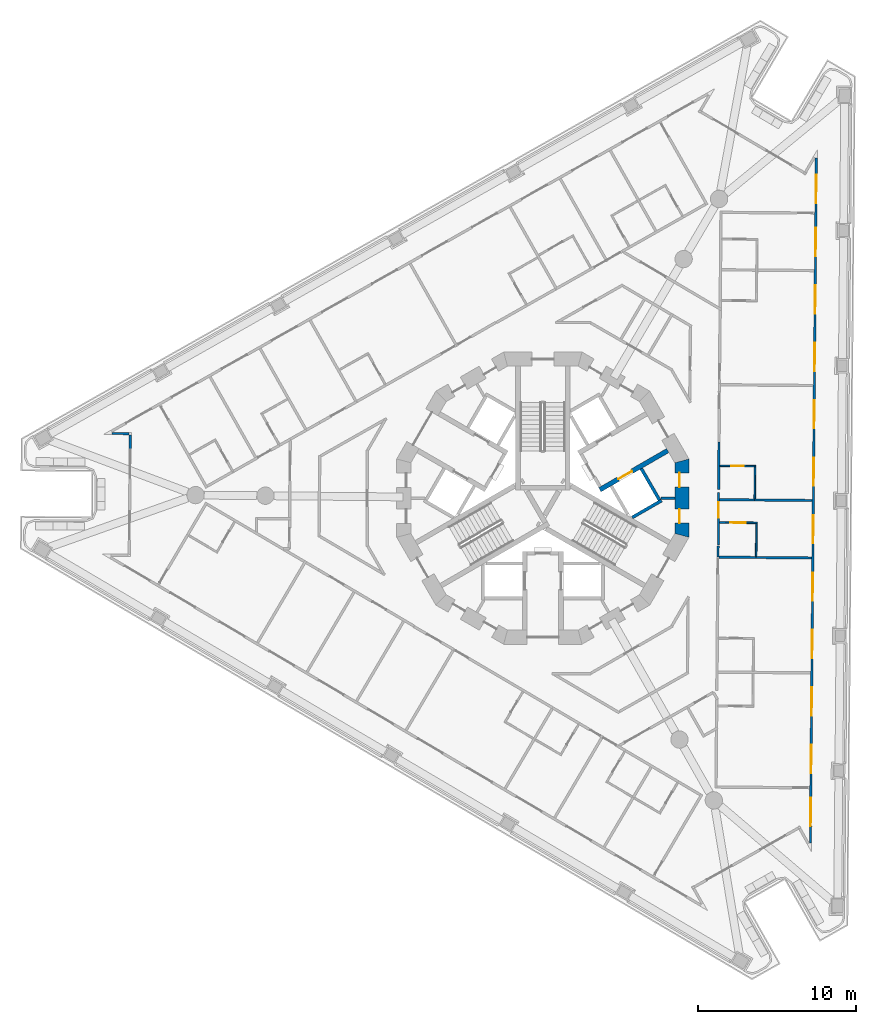
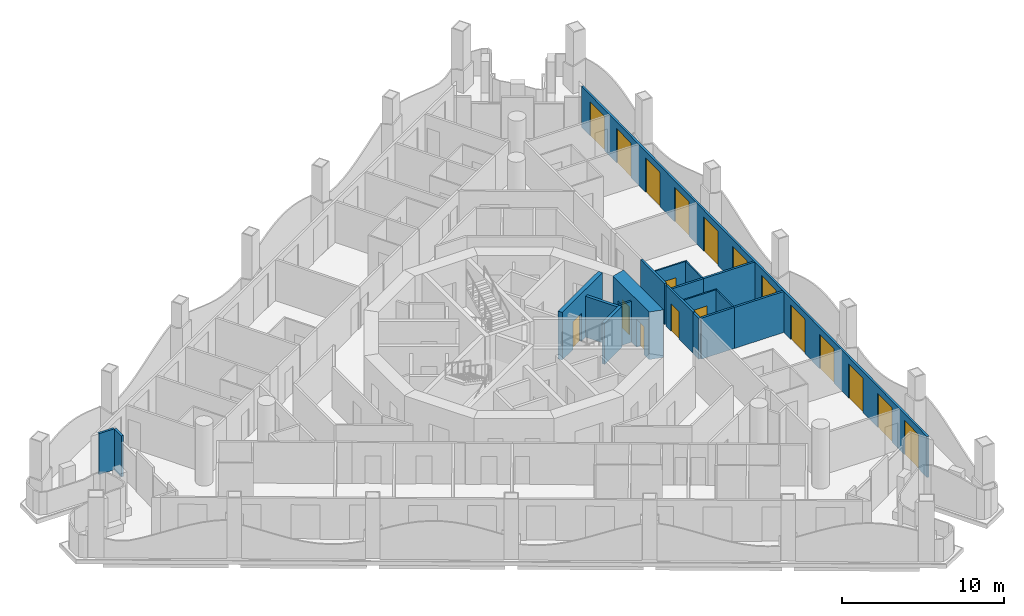
# One storey, part 6 of 17: 19 walls, 18 doors, 18 openings.
"""IFC4 building model written with IfcOpenShell, lengths in metres."""

from ifc_helpers import new_model, si_unit, direction, frame, frame_2d, origin, place, context, subcontext, project, spatial, polyline, rectangle, outline, extrude, material, layer, layer_set, type_object, element, fill, save


model = new_model("IFC4")

# Units and contexts
model_context = context("Model", 3, precision=1e-05, world=origin(), true_north=direction((0.0, 1.0)))
body_context = subcontext(model_context, "Body", "Model", "MODEL_VIEW")
ifc_project = project(units=[si_unit("LENGTHUNIT", "METRE"), si_unit("AREAUNIT", "SQUARE_METRE"), si_unit("VOLUMEUNIT", "CUBIC_METRE"), si_unit("PLANEANGLEUNIT", "RADIAN"), si_unit("MASSUNIT", "GRAM", prefix="KILO")], contexts=[model_context])

# Site, building, storey
site_placement = place(None, origin())
site = spatial("IfcSite", under=ifc_project, at=site_placement, CompositionType="ELEMENT")
building_placement = place(site_placement, origin())
building = spatial("IfcBuilding", under=site, at=building_placement, Name="Trine Commons Tower", CompositionType="ELEMENT")
storey_placement = place(building_placement, frame((0.0, 0.0, 189.89990234375)))
storey = spatial("IfcBuildingStorey", under=building, at=storey_placement, Name="L49", CompositionType="ELEMENT", Elevation=189.89990234375)

# Walls
ifc_material_1 = material(Name="Plasterboard partition on steel studs", Category="steel")
ifc_layer_1 = layer(ifc_material_1, 0.14990234375)
ifc_layer_set_1 = layer_set([ifc_layer_1], Name="Plasterboard partition on steel studs")
wall_type_1 = type_object("IfcWallType", Name="Core room partition 150 mm, EI 60", PredefinedType="PARTITIONING", material=ifc_layer_set_1)
wall_1_placement = place(storey_placement, frame((88.373046875, 62.5, 0.0), z_axis=(0.0, 0.0, 1.0), x_axis=(-1.0, 0.0, 0.0)))
element("IfcWall", 1, at=wall_1_placement, inside=storey, type_object=wall_type_1, Name="Core room partition L49", PredefinedType="PARTITIONING", context=body_context, shape_type="SweptSolid", body=[
    extrude(rectangle(XDim=0.882080078125, YDim=0.14990234375, at=frame_2d((0.44091796875, 0.0))), origin(), (0.0, 0.0, 1.0), 3.10009765625),
])
ifc_material_2 = material(Name="Aluminium-framed insulated wall panel", Category="aluminium")
ifc_layer_2 = layer(ifc_material_2, 0.14990234375)
ifc_layer_set_2 = layer_set([ifc_layer_2], Name="Aluminium-framed insulated wall panel")
wall_type_2 = type_object("IfcWallType", Name="Glazed frame wall 150, EI 60", PredefinedType="SOLIDWALL", material=ifc_layer_set_2)
wall_2_placement = place(storey_placement, frame((53.816162109375, 65.628662109375, 0.0), z_axis=(0.0, 0.0, 1.0), x_axis=(0.008788723053, 0.999961378428, 0.0)))
element("IfcWall", 2, at=wall_2_placement, inside=storey, type_object=wall_type_2, Name="Glazed frame wall P1.5", PredefinedType="SOLIDWALL", context=body_context, shape_type="SweptSolid", body=[
    extrude(outline(polyline([(0.889892578125, 0.074951171875), (0.0, 0.074951171875), (0.0, -0.074951171875), (0.889892578125, -0.074951171875), (0.889892578125, 0.074951171875)])), origin(), (0.0, 0.0, 1.0), 3.10009765625),
])
wall_3_placement = place(storey_placement, frame((53.859619140625, 66.59326171875, 0.0), z_axis=(0.0, 0.0, 1.0), x_axis=(-0.999962043845, 0.008712684354, 0.0)))
element("IfcWall", 3, at=wall_3_placement, inside=storey, type_object=wall_type_2, Name="Glazed frame wall R3", PredefinedType="SOLIDWALL", context=body_context, shape_type="SweptSolid", body=[
    extrude(outline(polyline([(0.110107421875, 0.074951171875), (0.110107421875, -0.074951171875), (1.19580078125, -0.074951171875), (1.19580078125, 0.074951171875), (0.110107421875, 0.074951171875)])), origin(), (0.0, 0.0, 1.0), 3.10009765625),
])

# Wall, openings, doors
wall_4_placement = place(storey_placement, frame((97.36279296875, 84.232421875, 0.0), z_axis=(0.0, 0.0, 1.0), x_axis=(-0.00872447395, -0.999961941053, 0.0)))
wall_4 = element("IfcWall", 4, at=wall_4_placement, inside=storey, type_object=wall_type_2, Name="Glazed frame wall F2", PredefinedType="SOLIDWALL", context=body_context, shape_type="SweptSolid", body=[
    extrude(outline(polyline([(0.1494140625, 0.074951171875), (0.1494140625, -0.074951171875), (43.616943359375, -0.074951171875), (43.616943359375, 0.074951171875), (0.1494140625, 0.074951171875)])), origin(), (0.0, 0.0, 1.0), 3.10009765625),
])
opening_1_placement = place(wall_4_placement, frame((1.2236328125, 0.0, 0.0)))
opening_1 = element("IfcOpeningElement", 5, at=opening_1_placement, cuts=wall_4, Name="Opening BD-5F2-01", PredefinedType="OPENING", context=body_context, shape_type="SweptSolid", body=[
    extrude(rectangle(XDim=1.800048828125, YDim=2.60009765625, at=frame_2d((0.89990234375, 1.300048828125))), frame((0.0, 0.0849609375, 0.0), z_axis=(0.0, -1.0, 0.0), x_axis=(1.0, 0.0, 0.0)), (0.0, 0.0, 1.0), 0.169921875),
])
opening_2_placement = place(wall_4_placement, frame((4.57080078125, 0.0, 0.0)))
opening_2 = element("IfcOpeningElement", 6, at=opening_2_placement, cuts=wall_4, Name="Opening BD-5F2-02", PredefinedType="OPENING", context=body_context, shape_type="SweptSolid", body=[
    extrude(rectangle(XDim=1.800048828125, YDim=2.60009765625, at=frame_2d((0.89990234375, 1.300048828125))), frame((0.0, 0.0849609375, 0.0), z_axis=(0.0, -1.0, 0.0), x_axis=(1.0, 0.0, 0.0)), (0.0, 0.0, 1.0), 0.169921875),
])
opening_3_placement = place(wall_4_placement, frame((8.218017578125, 0.0, 0.0)))
opening_3 = element("IfcOpeningElement", 7, at=opening_3_placement, cuts=wall_4, Name="Opening BD-5F2-03", PredefinedType="OPENING", context=body_context, shape_type="SweptSolid", body=[
    extrude(rectangle(XDim=1.800048828125, YDim=2.60009765625, at=frame_2d((0.89990234375, 1.300048828125))), frame((0.0, 0.0849609375, 0.0), z_axis=(0.0, -1.0, 0.0), x_axis=(1.0, 0.0, 0.0)), (0.0, 0.0, 1.0), 0.169921875),
])
opening_4_placement = place(wall_4_placement, frame((11.865234375, 0.0, 0.0)))
opening_4 = element("IfcOpeningElement", 8, at=opening_4_placement, cuts=wall_4, Name="Opening BD-5F2-04", PredefinedType="OPENING", context=body_context, shape_type="SweptSolid", body=[
    extrude(rectangle(XDim=1.800048828125, YDim=2.60009765625, at=frame_2d((0.89990234375, 1.300048828125))), frame((0.0, 0.0849609375, 0.0), z_axis=(0.0, -1.0, 0.0), x_axis=(1.0, 0.0, 0.0)), (0.0, 0.0, 1.0), 0.169921875),
])
opening_5_placement = place(wall_4_placement, frame((15.512451171875, 0.0, 0.0)))
opening_5 = element("IfcOpeningElement", 9, at=opening_5_placement, cuts=wall_4, Name="Opening BD-5F2-05", PredefinedType="OPENING", context=body_context, shape_type="SweptSolid", body=[
    extrude(rectangle(XDim=1.800048828125, YDim=2.60009765625, at=frame_2d((0.89990234375, 1.300048828125))), frame((0.0, 0.0849609375, 0.0), z_axis=(0.0, -1.0, 0.0), x_axis=(1.0, 0.0, 0.0)), (0.0, 0.0, 1.0), 0.169921875),
])
opening_6_placement = place(wall_4_placement, frame((19.15966796875, 0.0, 0.0)))
opening_6 = element("IfcOpeningElement", 10, at=opening_6_placement, cuts=wall_4, Name="Opening BD-5F2-06", PredefinedType="OPENING", context=body_context, shape_type="SweptSolid", body=[
    extrude(rectangle(XDim=1.800048828125, YDim=2.60009765625, at=frame_2d((0.89990234375, 1.300048828125))), frame((0.0, 0.0849609375, 0.0), z_axis=(0.0, -1.0, 0.0), x_axis=(1.0, 0.0, 0.0)), (0.0, 0.0, 1.0), 0.169921875),
])
opening_7_placement = place(wall_4_placement, frame((22.806884765625, 0.0, 0.0)))
opening_7 = element("IfcOpeningElement", 11, at=opening_7_placement, cuts=wall_4, Name="Opening BD-5F2-07", PredefinedType="OPENING", context=body_context, shape_type="SweptSolid", body=[
    extrude(rectangle(XDim=1.800048828125, YDim=2.60009765625, at=frame_2d((0.89990234375, 1.300048828125))), frame((0.0, 0.0849609375, 0.0), z_axis=(0.0, -1.0, 0.0), x_axis=(1.0, 0.0, 0.0)), (0.0, 0.0, 1.0), 0.169921875),
])
opening_8_placement = place(wall_4_placement, frame((26.4541015625, 0.0, 0.0)))
opening_8 = element("IfcOpeningElement", 12, at=opening_8_placement, cuts=wall_4, Name="Opening BD-5F2-08", PredefinedType="OPENING", context=body_context, shape_type="SweptSolid", body=[
    extrude(rectangle(XDim=1.800048828125, YDim=2.60009765625, at=frame_2d((0.89990234375, 1.300048828125))), frame((0.0, 0.0849609375, 0.0), z_axis=(0.0, -1.0, 0.0), x_axis=(1.0, 0.0, 0.0)), (0.0, 0.0, 1.0), 0.169921875),
])
opening_9_placement = place(wall_4_placement, frame((30.101318359375, 0.0, 0.0)))
opening_9 = element("IfcOpeningElement", 13, at=opening_9_placement, cuts=wall_4, Name="Opening BD-5F2-09", PredefinedType="OPENING", context=body_context, shape_type="SweptSolid", body=[
    extrude(rectangle(XDim=1.800048828125, YDim=2.60009765625, at=frame_2d((0.89990234375, 1.300048828125))), frame((0.0, 0.0849609375, 0.0), z_axis=(0.0, -1.0, 0.0), x_axis=(1.0, 0.0, 0.0)), (0.0, 0.0, 1.0), 0.169921875),
])
opening_10_placement = place(wall_4_placement, frame((33.748291015625, 0.0, 0.0)))
opening_10 = element("IfcOpeningElement", 14, at=opening_10_placement, cuts=wall_4, Name="Opening BD-5F2-10", PredefinedType="OPENING", context=body_context, shape_type="SweptSolid", body=[
    extrude(rectangle(XDim=1.800048828125, YDim=2.60009765625, at=frame_2d((0.89990234375, 1.300048828125))), frame((0.0, 0.0849609375, 0.0), z_axis=(0.0, -1.0, 0.0), x_axis=(1.0, 0.0, 0.0)), (0.0, 0.0, 1.0), 0.169921875),
])
opening_11_placement = place(wall_4_placement, frame((37.3955078125, 0.0, 0.0)))
opening_11 = element("IfcOpeningElement", 15, at=opening_11_placement, cuts=wall_4, Name="Opening BD-5F2-11", PredefinedType="OPENING", context=body_context, shape_type="SweptSolid", body=[
    extrude(rectangle(XDim=1.800048828125, YDim=2.60009765625, at=frame_2d((0.89990234375, 1.300048828125))), frame((0.0, 0.0849609375, 0.0), z_axis=(0.0, -1.0, 0.0), x_axis=(1.0, 0.0, 0.0)), (0.0, 0.0, 1.0), 0.169921875),
])
opening_12_placement = place(wall_4_placement, frame((40.742919921875, 0.0, 0.0)))
opening_12 = element("IfcOpeningElement", 16, at=opening_12_placement, cuts=wall_4, Name="Opening BD-5F2-12", PredefinedType="OPENING", context=body_context, shape_type="SweptSolid", body=[
    extrude(rectangle(XDim=1.800048828125, YDim=2.60009765625, at=frame_2d((0.89990234375, 1.300048828125))), frame((0.0, 0.0849609375, 0.0), z_axis=(0.0, -1.0, 0.0), x_axis=(1.0, 0.0, 0.0)), (0.0, 0.0, 1.0), 0.169921875),
])
ifc_material_3 = material(Name="Anodised aluminium frame with double glazing", Category="aluminium")
door_type_1 = type_object("IfcDoorType", Name="Sliding loggia door 1800x2600", OperationType="SLIDING_TO_LEFT", PredefinedType="DOOR", material=ifc_material_3)
door_1_placement = place(opening_1_placement, origin())
door_1 = element("IfcDoor", 17, at=door_1_placement, inside=storey, type_object=door_type_1, Name="Loggia door F2 1", OperationType="SLIDING_TO_LEFT", OverallHeight=2.60009765625, OverallWidth=1.800048828125, PredefinedType="DOOR", context=body_context, shape_type="SweptSolid", body=[
    extrude(rectangle(XDim=1.800048828125, YDim=2.60009765625, at=frame_2d((0.89990234375, 1.300048828125))), frame((0.0, 0.02490234375, 0.0), z_axis=(0.0, -1.0, 0.0), x_axis=(1.0, 0.0, 0.0)), (0.0, 0.0, 1.0), 0.050048828125),
])
fill(opening_1, door_1)
door_2_placement = place(opening_2_placement, origin())
door_2 = element("IfcDoor", 18, at=door_2_placement, inside=storey, type_object=door_type_1, Name="Loggia door F2 2", OperationType="SLIDING_TO_LEFT", OverallHeight=2.60009765625, OverallWidth=1.800048828125, PredefinedType="DOOR", context=body_context, shape_type="SweptSolid", body=[
    extrude(rectangle(XDim=1.800048828125, YDim=2.60009765625, at=frame_2d((0.89990234375, 1.300048828125))), frame((0.0, 0.02490234375, 0.0), z_axis=(0.0, -1.0, 0.0), x_axis=(1.0, 0.0, 0.0)), (0.0, 0.0, 1.0), 0.050048828125),
])
fill(opening_2, door_2)
door_3_placement = place(opening_3_placement, origin())
door_3 = element("IfcDoor", 19, at=door_3_placement, inside=storey, type_object=door_type_1, Name="Loggia door F2 3", OperationType="SLIDING_TO_LEFT", OverallHeight=2.60009765625, OverallWidth=1.800048828125, PredefinedType="DOOR", context=body_context, shape_type="SweptSolid", body=[
    extrude(rectangle(XDim=1.800048828125, YDim=2.60009765625, at=frame_2d((0.89990234375, 1.300048828125))), frame((0.0, 0.02490234375, 0.0), z_axis=(0.0, -1.0, 0.0), x_axis=(1.0, 0.0, 0.0)), (0.0, 0.0, 1.0), 0.050048828125),
])
fill(opening_3, door_3)
door_4_placement = place(opening_4_placement, origin())
door_4 = element("IfcDoor", 20, at=door_4_placement, inside=storey, type_object=door_type_1, Name="Loggia door F2 4", OperationType="SLIDING_TO_LEFT", OverallHeight=2.60009765625, OverallWidth=1.800048828125, PredefinedType="DOOR", context=body_context, shape_type="SweptSolid", body=[
    extrude(rectangle(XDim=1.800048828125, YDim=2.60009765625, at=frame_2d((0.89990234375, 1.300048828125))), frame((0.0, 0.02490234375, 0.0), z_axis=(0.0, -1.0, 0.0), x_axis=(1.0, 0.0, 0.0)), (0.0, 0.0, 1.0), 0.050048828125),
])
fill(opening_4, door_4)
door_5_placement = place(opening_5_placement, origin())
door_5 = element("IfcDoor", 21, at=door_5_placement, inside=storey, type_object=door_type_1, Name="Loggia door F2 5", OperationType="SLIDING_TO_LEFT", OverallHeight=2.60009765625, OverallWidth=1.800048828125, PredefinedType="DOOR", context=body_context, shape_type="SweptSolid", body=[
    extrude(rectangle(XDim=1.800048828125, YDim=2.60009765625, at=frame_2d((0.89990234375, 1.300048828125))), frame((0.0, 0.02490234375, 0.0), z_axis=(0.0, -1.0, 0.0), x_axis=(1.0, 0.0, 0.0)), (0.0, 0.0, 1.0), 0.050048828125),
])
fill(opening_5, door_5)
door_6_placement = place(opening_6_placement, origin())
door_6 = element("IfcDoor", 22, at=door_6_placement, inside=storey, type_object=door_type_1, Name="Loggia door F2 6", OperationType="SLIDING_TO_LEFT", OverallHeight=2.60009765625, OverallWidth=1.800048828125, PredefinedType="DOOR", context=body_context, shape_type="SweptSolid", body=[
    extrude(rectangle(XDim=1.800048828125, YDim=2.60009765625, at=frame_2d((0.89990234375, 1.300048828125))), frame((0.0, 0.02490234375, 0.0), z_axis=(0.0, -1.0, 0.0), x_axis=(1.0, 0.0, 0.0)), (0.0, 0.0, 1.0), 0.050048828125),
])
fill(opening_6, door_6)
door_7_placement = place(opening_7_placement, origin())
door_7 = element("IfcDoor", 23, at=door_7_placement, inside=storey, type_object=door_type_1, Name="Loggia door F2 7", OperationType="SLIDING_TO_LEFT", OverallHeight=2.60009765625, OverallWidth=1.800048828125, PredefinedType="DOOR", context=body_context, shape_type="SweptSolid", body=[
    extrude(rectangle(XDim=1.800048828125, YDim=2.60009765625, at=frame_2d((0.89990234375, 1.300048828125))), frame((0.0, 0.02490234375, 0.0), z_axis=(0.0, -1.0, 0.0), x_axis=(1.0, 0.0, 0.0)), (0.0, 0.0, 1.0), 0.050048828125),
])
fill(opening_7, door_7)
door_8_placement = place(opening_8_placement, origin())
door_8 = element("IfcDoor", 24, at=door_8_placement, inside=storey, type_object=door_type_1, Name="Loggia door F2 8", OperationType="SLIDING_TO_LEFT", OverallHeight=2.60009765625, OverallWidth=1.800048828125, PredefinedType="DOOR", context=body_context, shape_type="SweptSolid", body=[
    extrude(rectangle(XDim=1.800048828125, YDim=2.60009765625, at=frame_2d((0.89990234375, 1.300048828125))), frame((0.0, 0.02490234375, 0.0), z_axis=(0.0, -1.0, 0.0), x_axis=(1.0, 0.0, 0.0)), (0.0, 0.0, 1.0), 0.050048828125),
])
fill(opening_8, door_8)
door_9_placement = place(opening_9_placement, origin())
door_9 = element("IfcDoor", 25, at=door_9_placement, inside=storey, type_object=door_type_1, Name="Loggia door F2 9", OperationType="SLIDING_TO_LEFT", OverallHeight=2.60009765625, OverallWidth=1.800048828125, PredefinedType="DOOR", context=body_context, shape_type="SweptSolid", body=[
    extrude(rectangle(XDim=1.800048828125, YDim=2.60009765625, at=frame_2d((0.89990234375, 1.300048828125))), frame((0.0, 0.02490234375, 0.0), z_axis=(0.0, -1.0, 0.0), x_axis=(1.0, 0.0, 0.0)), (0.0, 0.0, 1.0), 0.050048828125),
])
fill(opening_9, door_9)
door_10_placement = place(opening_10_placement, origin())
door_10 = element("IfcDoor", 26, at=door_10_placement, inside=storey, type_object=door_type_1, Name="Loggia door F2 10", OperationType="SLIDING_TO_LEFT", OverallHeight=2.60009765625, OverallWidth=1.800048828125, PredefinedType="DOOR", context=body_context, shape_type="SweptSolid", body=[
    extrude(rectangle(XDim=1.800048828125, YDim=2.60009765625, at=frame_2d((0.89990234375, 1.300048828125))), frame((0.0, 0.02490234375, 0.0), z_axis=(0.0, -1.0, 0.0), x_axis=(1.0, 0.0, 0.0)), (0.0, 0.0, 1.0), 0.050048828125),
])
fill(opening_10, door_10)
door_11_placement = place(opening_11_placement, origin())
door_11 = element("IfcDoor", 27, at=door_11_placement, inside=storey, type_object=door_type_1, Name="Loggia door F2 11", OperationType="SLIDING_TO_LEFT", OverallHeight=2.60009765625, OverallWidth=1.800048828125, PredefinedType="DOOR", context=body_context, shape_type="SweptSolid", body=[
    extrude(rectangle(XDim=1.800048828125, YDim=2.60009765625, at=frame_2d((0.89990234375, 1.300048828125))), frame((0.0, 0.02490234375, 0.0), z_axis=(0.0, -1.0, 0.0), x_axis=(1.0, 0.0, 0.0)), (0.0, 0.0, 1.0), 0.050048828125),
])
fill(opening_11, door_11)
door_12_placement = place(opening_12_placement, origin())
door_12 = element("IfcDoor", 28, at=door_12_placement, inside=storey, type_object=door_type_1, Name="Loggia door F2 12", OperationType="SLIDING_TO_LEFT", OverallHeight=2.60009765625, OverallWidth=1.800048828125, PredefinedType="DOOR", context=body_context, shape_type="SweptSolid", body=[
    extrude(rectangle(XDim=1.800048828125, YDim=2.60009765625, at=frame_2d((0.89990234375, 1.300048828125))), frame((0.0, 0.02490234375, 0.0), z_axis=(0.0, -1.0, 0.0), x_axis=(1.0, 0.0, 0.0)), (0.0, 0.0, 1.0), 0.050048828125),
])
fill(opening_12, door_12)

# Wall, opening, door
ifc_material_4 = material(Name="Concrete C60/75", Category="concrete")
ifc_layer_3 = layer(ifc_material_4, 0.300048828125)
ifc_layer_set_3 = layer_set([ifc_layer_3], Name="Concrete C60/75")
wall_type_3 = type_object("IfcWallType", Name="RC shear wall 300 mm, C60/75", PredefinedType="SHEAR", material=ifc_layer_set_3)
wall_5_placement = place(storey_placement, frame((83.618896484375, 63.031005859375, 0.0), z_axis=(0.0, 0.0, 1.0), x_axis=(0.866080953719, 0.499903772346, 0.0)))
wall_5 = element("IfcWall", 29, at=wall_5_placement, inside=storey, type_object=wall_type_3, Name="Core cross wall SWB-06 L49", PredefinedType="SHEAR", context=body_context, shape_type="SweptSolid", body=[
    extrude(rectangle(XDim=4.97314453125, YDim=0.300048828125, at=frame_2d((2.486572265625, 0.0))), origin(), (0.0, 0.0, 1.0), 3.60009765625),
])
opening_13_placement = place(wall_5_placement, frame((1.350341796875, 0.0, 0.0)))
opening_13 = element("IfcOpeningElement", 30, at=opening_13_placement, cuts=wall_5, Name="Opening LD6", PredefinedType="OPENING", context=body_context, shape_type="SweptSolid", body=[
    extrude(rectangle(XDim=1.0, YDim=2.10009765625, at=frame_2d((0.5, 1.050048828125))), frame((0.0, 0.159912109375, 0.0), z_axis=(0.0, -1.0, 0.0), x_axis=(1.0, 0.0, 0.0)), (0.0, 0.0, 1.0), 0.320068359375),
])
ifc_material_5 = material(Name="Stainless steel sliding door leaves", Category="steel")
door_type_2 = type_object("IfcDoorType", Name="Lift landing door, centre-opening sliding 1000 x 2100, FD90", OperationType="DOUBLE_DOOR_SLIDING", PredefinedType="DOOR", material=ifc_material_5)
door_13_placement = place(opening_13_placement, origin())
door_13 = element("IfcDoor", 31, at=door_13_placement, inside=storey, type_object=door_type_2, Name="Lift landing door HR2 L49", OperationType="DOUBLE_DOOR_SLIDING", OverallHeight=2.10009765625, OverallWidth=1.0, PredefinedType="DOOR", context=body_context, shape_type="SweptSolid", body=[
    extrude(rectangle(XDim=1.0, YDim=2.10009765625, at=frame_2d((0.5, 1.050048828125))), frame((0.0, 0.02490234375, 0.0), z_axis=(0.0, -1.0, 0.0), x_axis=(1.0, 0.0, 0.0)), (0.0, 0.0, 1.0), 0.050048828125),
])
fill(opening_13, door_13)

# Wall, openings, doors
ifc_layer_4 = layer(ifc_material_4, 0.89990234375)
ifc_layer_set_4 = layer_set([ifc_layer_4], Name="Concrete C60/75")
wall_type_4 = type_object("IfcWallType", Name="RC shear wall 900 mm, C60/75", PredefinedType="SHEAR", material=ifc_layer_set_4)
wall_6_placement = place(storey_placement, frame((88.822998046875, 60.015380859375, 0.0), z_axis=(0.0, 0.0, 1.0), x_axis=(0.0, 1.0, 0.0)))
wall_6 = element("IfcWall", 32, at=wall_6_placement, inside=storey, type_object=wall_type_4, Name="Core wall CWE-01 L49", PredefinedType="SHEAR", context=body_context, shape_type="SweptSolid", body=[
    extrude(outline(polyline([(0.0, -0.449951171875), (4.969482421875, -0.449951171875), (4.728271484375, 0.449951171875), (0.2412109375, 0.449951171875), (0.0, -0.449951171875)])), origin(), (0.0, 0.0, 1.0), 3.60009765625),
])
opening_14_placement = place(wall_6_placement, frame((0.893798828125, 0.0, 0.0)))
opening_14 = element("IfcOpeningElement", 33, at=opening_14_placement, cuts=wall_6, Name="Opening K12.10", PredefinedType="OPENING", context=body_context, shape_type="SweptSolid", body=[
    extrude(rectangle(XDim=0.89990234375, YDim=2.10009765625, at=frame_2d((0.449951171875, 1.050048828125))), frame((0.0, 0.4599609375, 0.0), z_axis=(0.0, -1.0, 0.0), x_axis=(1.0, 0.0, 0.0)), (0.0, 0.0, 1.0), 0.919921875),
])
opening_15_placement = place(wall_6_placement, frame((3.184814453125, 0.0, 0.0)))
opening_15 = element("IfcOpeningElement", 34, at=opening_15_placement, cuts=wall_6, Name="Opening K12.11", PredefinedType="OPENING", context=body_context, shape_type="SweptSolid", body=[
    extrude(rectangle(XDim=0.89990234375, YDim=2.10009765625, at=frame_2d((0.449951171875, 1.050048828125))), frame((0.0, 0.4599609375, 0.0), z_axis=(0.0, -1.0, 0.0), x_axis=(1.0, 0.0, 0.0)), (0.0, 0.0, 1.0), 0.919921875),
])
ifc_material_6 = material(Name="Steel door leaf, fire-rated", Category="steel")
door_type_3 = type_object("IfcDoorType", Name="Core room door, single leaf 900 x 2100, FD30S", OperationType="SINGLE_SWING_LEFT", PredefinedType="DOOR", material=ifc_material_6)
door_14_placement = place(opening_14_placement, origin())
door_14 = element("IfcDoor", 35, at=door_14_placement, inside=storey, type_object=door_type_3, Name="Door to Linen store L49", OperationType="SINGLE_SWING_LEFT", OverallHeight=2.10009765625, OverallWidth=0.89990234375, PredefinedType="DOOR", context=body_context, shape_type="SweptSolid", body=[
    extrude(rectangle(XDim=0.89990234375, YDim=2.10009765625, at=frame_2d((0.449951171875, 1.050048828125))), frame((0.0, 0.1748046875, 0.0), z_axis=(0.0, -1.0, 0.0), x_axis=(1.0, 0.0, 0.0)), (0.0, 0.0, 1.0), 0.050048828125),
])
fill(opening_14, door_14)
door_15_placement = place(opening_15_placement, origin())
door_15 = element("IfcDoor", 36, at=door_15_placement, inside=storey, type_object=door_type_3, Name="Door to Pantry L49", OperationType="SINGLE_SWING_RIGHT", OverallHeight=2.10009765625, OverallWidth=0.89990234375, PredefinedType="DOOR", context=body_context, shape_type="SweptSolid", body=[
    extrude(rectangle(XDim=0.89990234375, YDim=2.10009765625, at=frame_2d((0.449951171875, 1.050048828125))), frame((0.0, 0.1748046875, 0.0), z_axis=(0.0, -1.0, 0.0), x_axis=(1.0, 0.0, 0.0)), (0.0, 0.0, 1.0), 0.050048828125),
])
fill(opening_15, door_15)

# Walls
ifc_material_7 = material(Name="Fire-rated gypsum shaft wall system")
ifc_layer_5 = layer(ifc_material_7, 0.199951171875)
ifc_layer_set_5 = layer_set([ifc_layer_5], Name="Fire-rated gypsum shaft wall system")
wall_type_5 = type_object("IfcWallType", Name="Shaft wall 200 mm, EI 120", PredefinedType="PARTITIONING", material=ifc_layer_set_5)
wall_7_placement = place(storey_placement, frame((85.675048828125, 61.27392578125, 0.0), z_axis=(0.0, 0.0, 1.0), x_axis=(0.866102336459, 0.499866725018, 0.0)))
element("IfcWall", 37, at=wall_7_placement, inside=storey, type_object=wall_type_5, Name="Shaft wall L49", PredefinedType="PARTITIONING", context=body_context, shape_type="SweptSolid", body=[
    extrude(rectangle(XDim=2.1484375, YDim=0.199951171875, at=frame_2d((1.07421875, 0.0))), origin(), (0.0, 0.0, 1.0), 3.10009765625),
])
wall_8_placement = place(storey_placement, frame((86.2490234375, 64.3759765625, 0.0), z_axis=(0.0, 0.0, 1.0), x_axis=(0.500136062276, -0.86594683394, 0.0)))
element("IfcWall", 38, at=wall_8_placement, inside=storey, type_object=wall_type_5, Name="Shaft wall L49", PredefinedType="PARTITIONING", context=body_context, shape_type="SweptSolid", body=[
    extrude(rectangle(XDim=2.299072265625, YDim=0.199951171875, at=frame_2d((1.1494140625, 0.0))), origin(), (0.0, 0.0, 1.0), 3.10009765625),
])
ifc_material_8 = material(Name="Gypsum plasterboard on steel stud", Category="steel")
ifc_layer_6 = layer(ifc_material_8, 0.14990234375)
ifc_layer_set_6 = layer_set([ifc_layer_6], Name="Gypsum plasterboard on steel stud")
wall_type_6 = type_object("IfcWallType", Name="Unit and corridor wall 150 mm, EI 60", PredefinedType="PARTITIONING", material=ifc_layer_set_6)
wall_9_placement = place(storey_placement, frame((91.115966796875, 58.751953125, 0.0), z_axis=(0.0, 0.0, 1.0), x_axis=(0.008511778806, 0.999963774155, 0.0)))
element("IfcWall", 39, at=wall_9_placement, inside=storey, type_object=wall_type_6, Name="Partition 112", PredefinedType="PARTITIONING", context=body_context, shape_type="SweptSolid", body=[
    extrude(rectangle(XDim=0.717041015625, YDim=0.14990234375, at=frame_2d((0.3583984375, 0.0))), origin(), (0.0, 0.0, 1.0), 3.10009765625),
])
wall_10_placement = place(storey_placement, frame((91.19091796875, 58.75537109375, 0.0), z_axis=(0.0, 0.0, 1.0), x_axis=(0.999958111016, -0.009152934655, 0.0)))
element("IfcWall", 40, at=wall_10_placement, inside=storey, type_object=wall_type_6, Name="Partition 113", PredefinedType="PARTITIONING", context=body_context, shape_type="SweptSolid", body=[
    extrude(rectangle(XDim=2.34716796875, YDim=0.14990234375, at=frame_2d((1.173583984375, 0.0))), origin(), (0.0, 0.0, 1.0), 3.10009765625),
])

# Wall, opening, door
wall_11_placement = place(storey_placement, frame((91.14794921875, 59.512939453125, 0.0), z_axis=(0.0, 0.0, 1.0), x_axis=(0.0, 1.0, 0.0)))
wall_11 = element("IfcWall", 41, at=wall_11_placement, inside=storey, type_object=wall_type_6, Name="Partition 114", PredefinedType="PARTITIONING", context=body_context, shape_type="SweptSolid", body=[
    extrude(rectangle(XDim=3.34716796875, YDim=0.14990234375, at=frame_2d((1.673583984375, 0.0))), origin(), (0.0, 0.0, 1.0), 3.10009765625),
])
opening_16_placement = place(wall_11_placement, frame((1.739990234375, 0.0, 0.0)))
opening_16 = element("IfcOpeningElement", 42, at=opening_16_placement, cuts=wall_11, Name="Opening D-5C17", PredefinedType="OPENING", context=body_context, shape_type="SweptSolid", body=[
    extrude(rectangle(XDim=1.0, YDim=2.10009765625, at=frame_2d((0.5, 1.050048828125))), frame((0.0, 0.0849609375, 0.0), z_axis=(0.0, -1.0, 0.0), x_axis=(1.0, 0.0, 0.0)), (0.0, 0.0, 1.0), 0.169921875),
])
ifc_material_9 = material(Name="Timber fire door set", Category="wood")
door_type_4 = type_object("IfcDoorType", Name="Bedroom door 1000 x 2100, FD30S", OperationType="NOTDEFINED", PredefinedType="DOOR", material=ifc_material_9)
door_16_placement = place(opening_16_placement, frame((1.0, 0.0, 0.0), z_axis=(0.0, 0.0, 1.0), x_axis=(-1.0, 0.0, 0.0)))
door_16 = element("IfcDoor", 43, at=door_16_placement, inside=storey, type_object=door_type_4, Name="Door D-5C17", OperationType="SINGLE_SWING_LEFT", OverallHeight=2.10009765625, OverallWidth=1.0, PredefinedType="DOOR", context=body_context, shape_type="SweptSolid", body=[
    extrude(rectangle(XDim=1.0, YDim=2.10009765625, at=frame_2d((0.5, 1.050048828125))), frame((0.0, 0.02490234375, 0.0), z_axis=(0.0, -1.0, 0.0), x_axis=(1.0, 0.0, 0.0)), (0.0, 0.0, 1.0), 0.050048828125),
])
fill(opening_16, door_16)

# Walls
wall_12_placement = place(storey_placement, frame((91.222900390625, 62.40234375, 0.0), z_axis=(0.0, 0.0, 1.0), x_axis=(0.999962435149, -0.008667657711, 0.0)))
element("IfcWall", 44, at=wall_12_placement, inside=storey, type_object=wall_type_6, Name="Partition 116", PredefinedType="PARTITIONING", context=body_context, shape_type="SweptSolid", body=[
    extrude(rectangle(XDim=2.22509765625, YDim=0.14990234375, at=frame_2d((1.112548828125, 0.0))), origin(), (0.0, 0.0, 1.0), 3.10009765625),
])
wall_13_placement = place(storey_placement, frame((91.154052734375, 63.05810546875, 0.0), z_axis=(0.0, 0.0, 1.0), x_axis=(0.008649207267, 0.999962594907, 0.0)))
element("IfcWall", 45, at=wall_13_placement, inside=storey, type_object=wall_type_6, Name="Partition 117", PredefinedType="PARTITIONING", context=body_context, shape_type="SweptSolid", body=[
    extrude(rectangle(XDim=2.991943359375, YDim=0.14990234375, at=frame_2d((1.49609375, 0.0))), origin(), (0.0, 0.0, 1.0), 3.10009765625),
])
wall_14_placement = place(storey_placement, frame((93.447998046875, 62.383056640625, 0.0), z_axis=(0.0, 0.0, 1.0), x_axis=(0.999959811346, -0.008965249212, 0.0)))
element("IfcWall", 46, at=wall_14_placement, inside=storey, type_object=wall_type_6, Name="Partition 131", PredefinedType="PARTITIONING", context=body_context, shape_type="SweptSolid", body=[
    extrude(rectangle(XDim=3.649169921875, YDim=0.14990234375, at=frame_2d((1.82470703125, 0.0))), origin(), (0.0, 0.0, 1.0), 3.10009765625),
])
wall_15_placement = place(storey_placement, frame((93.5380859375, 58.73388671875, 0.0), z_axis=(0.0, 0.0, 1.0), x_axis=(0.999962565639, -0.008652590385, 0.0)))
element("IfcWall", 47, at=wall_15_placement, inside=storey, type_object=wall_type_6, Name="Partition 133", PredefinedType="PARTITIONING", context=body_context, shape_type="SweptSolid", body=[
    extrude(rectangle(XDim=3.527099609375, YDim=0.14990234375, at=frame_2d((1.763671875, 0.0))), origin(), (0.0, 0.0, 1.0), 3.10009765625),
])

# Wall, opening, door
ifc_layer_7 = layer(ifc_material_8, 0.10009765625)
ifc_layer_set_7 = layer_set([ifc_layer_7], Name="Gypsum plasterboard on steel stud")
wall_type_7 = type_object("IfcWallType", Name="Unit partition 100 mm, no rating", PredefinedType="PARTITIONING", material=ifc_layer_set_7)
wall_16_placement = place(storey_placement, frame((91.222900390625, 60.954345703125, 0.0), z_axis=(0.0, 0.0, 1.0), x_axis=(0.99996214851, -0.008700663591, 0.0)))
wall_16 = element("IfcWall", 48, at=wall_16_placement, inside=storey, type_object=wall_type_7, Name="Partition 115", PredefinedType="PARTITIONING", context=body_context, shape_type="SweptSolid", body=[
    extrude(rectangle(XDim=2.385009765625, YDim=0.10009765625, at=frame_2d((1.1923828125, 0.0))), origin(), (0.0, 0.0, 1.0), 3.10009765625),
])
opening_17_placement = place(wall_16_placement, frame((0.66748046875, 0.0, 0.0)))
opening_17 = element("IfcOpeningElement", 49, at=opening_17_placement, cuts=wall_16, Name="Opening D-5C43", PredefinedType="OPENING", context=body_context, shape_type="SweptSolid", body=[
    extrude(rectangle(XDim=1.0, YDim=2.10009765625, at=frame_2d((0.5, 1.050048828125))), frame((0.0, 0.06005859375, 0.0), z_axis=(0.0, -1.0, 0.0), x_axis=(1.0, 0.0, 0.0)), (0.0, 0.0, 1.0), 0.1201171875),
])
ifc_material_10 = material(Name="Painted timber", Category="wood")
door_type_5 = type_object("IfcDoorType", Name="Internal door 1000 x 2100, NOT RATED", OperationType="NOTDEFINED", PredefinedType="DOOR", material=ifc_material_10)
door_17_placement = place(opening_17_placement, origin())
door_17 = element("IfcDoor", 50, at=door_17_placement, inside=storey, type_object=door_type_5, Name="Door D-5C43", OperationType="SINGLE_SWING_LEFT", OverallHeight=2.10009765625, OverallWidth=1.0, PredefinedType="DOOR", context=body_context, shape_type="SweptSolid", body=[
    extrude(rectangle(XDim=1.0, YDim=2.10009765625, at=frame_2d((0.5, 1.050048828125))), frame((0.0, 0.02490234375, 0.0), z_axis=(0.0, -1.0, 0.0), x_axis=(1.0, 0.0, 0.0)), (0.0, 0.0, 1.0), 0.050048828125),
])
fill(opening_17, door_17)

wall_17_placement = place(storey_placement, frame((91.241943359375, 64.55224609375, 0.0), z_axis=(0.0, 0.0, 1.0), x_axis=(0.999958404904, -0.009120770943, 0.0)))
wall_17 = element("IfcWall", 51, at=wall_17_placement, inside=storey, type_object=wall_type_7, Name="Partition 118", PredefinedType="PARTITIONING", context=body_context, shape_type="SweptSolid", body=[
    extrude(rectangle(XDim=2.275146484375, YDim=0.10009765625, at=frame_2d((1.1376953125, 0.0))), origin(), (0.0, 0.0, 1.0), 3.10009765625),
])
opening_18_placement = place(wall_17_placement, frame((0.71240234375, 0.0, 0.0)))
opening_18 = element("IfcOpeningElement", 52, at=opening_18_placement, cuts=wall_17, Name="Opening D-5C42", PredefinedType="OPENING", context=body_context, shape_type="SweptSolid", body=[
    extrude(rectangle(XDim=0.800048828125, YDim=2.10009765625, at=frame_2d((0.39990234375, 1.050048828125))), frame((0.0, 0.06005859375, 0.0), z_axis=(0.0, -1.0, 0.0), x_axis=(1.0, 0.0, 0.0)), (0.0, 0.0, 1.0), 0.1201171875),
])
door_type_6 = type_object("IfcDoorType", Name="Internal door 800 x 2100, NOT RATED", OperationType="NOTDEFINED", PredefinedType="DOOR", material=ifc_material_10)
door_18_placement = place(opening_18_placement, origin())
door_18 = element("IfcDoor", 53, at=door_18_placement, inside=storey, type_object=door_type_6, Name="Door D-5C42", OperationType="SINGLE_SWING_LEFT", OverallHeight=2.10009765625, OverallWidth=0.800048828125, PredefinedType="DOOR", context=body_context, shape_type="SweptSolid", body=[
    extrude(rectangle(XDim=0.800048828125, YDim=2.10009765625, at=frame_2d((0.39990234375, 1.050048828125))), frame((0.0, 0.02490234375, 0.0), z_axis=(0.0, -1.0, 0.0), x_axis=(1.0, 0.0, 0.0)), (0.0, 0.0, 1.0), 0.050048828125),
])
fill(opening_18, door_18)

# Walls
wall_18_placement = place(storey_placement, frame((93.44873046875, 62.4580078125, 0.0), z_axis=(0.0, 0.0, 1.0), x_axis=(0.008805448719, 0.999961231285, 0.0)))
element("IfcWall", 54, at=wall_18_placement, inside=storey, type_object=wall_type_7, Name="Partition 130", PredefinedType="PARTITIONING", context=body_context, shape_type="SweptSolid", body=[
    extrude(rectangle(XDim=2.02392578125, YDim=0.10009765625, at=frame_2d((1.011962890625, 0.0))), origin(), (0.0, 0.0, 1.0), 3.10009765625),
])
wall_19_placement = place(storey_placement, frame((93.538818359375, 58.80908203125, 0.0), z_axis=(0.0, 0.0, 1.0), x_axis=(0.009059517597, 0.999958961728, 0.0)))
element("IfcWall", 55, at=wall_19_placement, inside=storey, type_object=wall_type_7, Name="Partition 132", PredefinedType="PARTITIONING", context=body_context, shape_type="SweptSolid", body=[
    extrude(rectangle(XDim=2.074951171875, YDim=0.10009765625, at=frame_2d((1.03759765625, 0.0))), origin(), (0.0, 0.0, 1.0), 3.10009765625),
])

save(model, "model.ifc")
